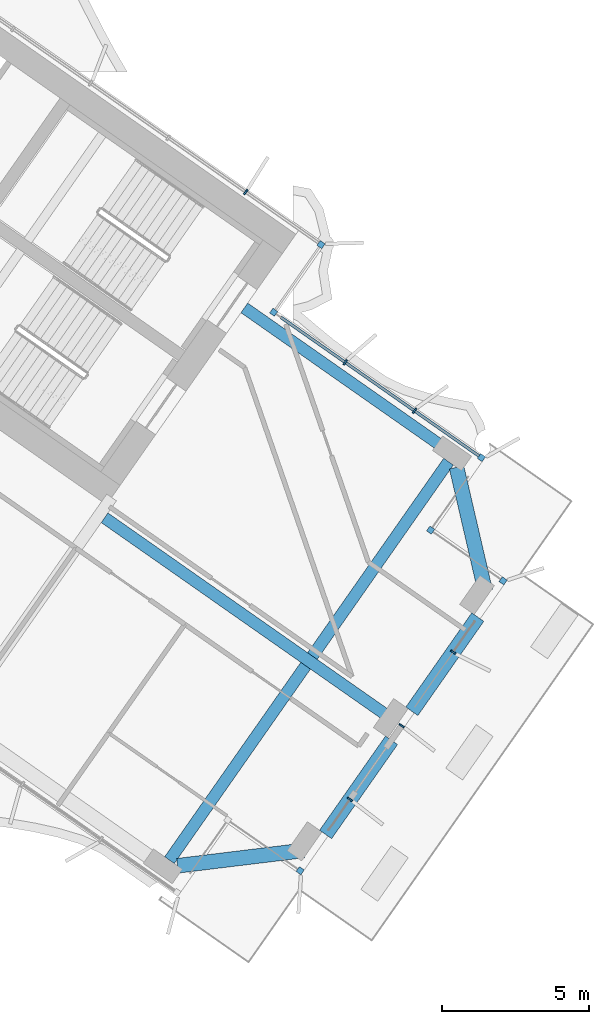
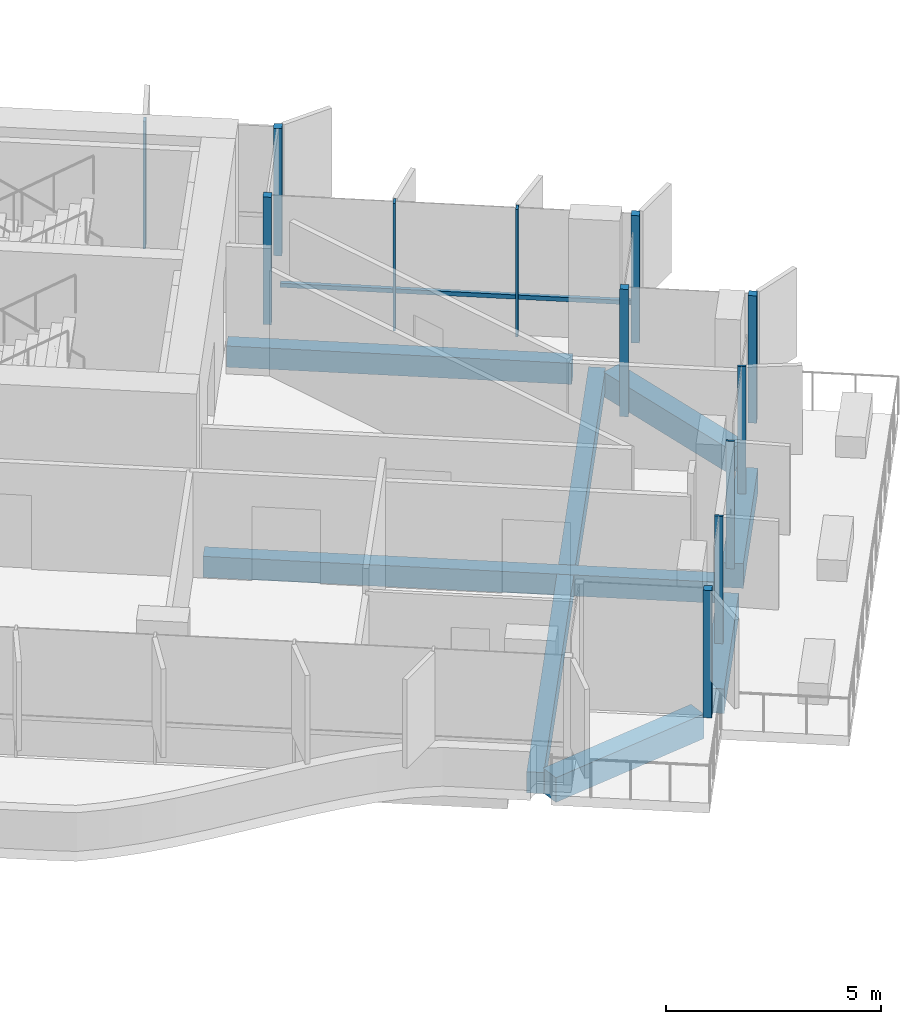
# One storey, part 10 of 23: 13 members, 7 beams, 4 elements without a shape of their own.
"""IFC4 building model written with IfcOpenShell, lengths in metres."""

from ifc_helpers import new_model, si_unit, direction, frame, origin, origin_2d, place, context, subcontext, project, spatial, rectangle, extrude, material, material_profile, profile_set, type_object, element, aggregate, save


model = new_model("IFC4")

# Units and contexts
model_context = context("Model", 3, precision=1e-05, world=origin(), true_north=direction((0.0, 1.0)))
body_context = subcontext(model_context, "Body", "Model", "MODEL_VIEW")
ifc_project = project(units=[si_unit("LENGTHUNIT", "METRE"), si_unit("AREAUNIT", "SQUARE_METRE"), si_unit("VOLUMEUNIT", "CUBIC_METRE"), si_unit("PLANEANGLEUNIT", "RADIAN"), si_unit("MASSUNIT", "GRAM", prefix="KILO")], contexts=[model_context])

# Site, building, storey
site_placement = place(None, origin())
site = spatial("IfcSite", under=ifc_project, at=site_placement, CompositionType="ELEMENT")
building_placement = place(site_placement, origin())
building = spatial("IfcBuilding", under=site, at=building_placement, Name="Tel Ilan Convention Tower", CompositionType="ELEMENT")
storey_placement = place(building_placement, frame((0.0, 0.0, 190.5)))
storey = spatial("IfcBuildingStorey", under=building, at=storey_placement, Name="L44", CompositionType="ELEMENT", Elevation=190.5)

# Beams
ifc_material_1 = material(Name="Concrete C40/50", Category="concrete")
ifc_material_profile_1 = material_profile(ifc_material_1, rectangle(XDim=0.39990234375, YDim=0.60009765625, at=origin_2d()), Name="RC 400x600")
ifc_profile_set_1 = profile_set([ifc_material_profile_1], Name="Concrete C40/50")
beam_type_1 = type_object("IfcBeamType", Name="Beam RC 400x600 Concrete C40/50", PredefinedType="BEAM", material=ifc_profile_set_1)
beam_1_placement = place(storey_placement, frame((32.82421875, -14.25537109375, -0.580078125), z_axis=(-0.819140886463, 0.573592371048, 0.0), x_axis=(-0.573592371048, -0.819140886463, 0.0)))
element("IfcBeam", 1, at=beam_1_placement, inside=storey, type_object=beam_type_1, Name="L44 beam E-E-BC-core", PredefinedType="BEAM", context=body_context, shape_type="SweptSolid", body=[
    extrude(rectangle(XDim=0.39990234375, YDim=0.60009765625, at=origin_2d()), origin(), (0.0, 0.0, 1.0), 8.064453125),
])
beam_2_placement = place(storey_placement, frame((21.477783203125, -16.748046875, -0.580078125), z_axis=(0.819152596417, -0.57357564783, 0.0), x_axis=(0.57357564783, 0.819152596417, 0.0)))
element("IfcBeam", 2, at=beam_2_placement, inside=storey, type_object=beam_type_1, Name="L44 beam E-core-end", PredefinedType="BEAM", context=body_context, shape_type="SweptSolid", body=[
    extrude(rectangle(XDim=0.39990234375, YDim=0.60009765625, at=origin_2d()), origin(), (0.0, 0.0, 1.0), 12.00244140625),
])
beam_3_placement = place(storey_placement, frame((23.6796875, -28.361083984375, -0.580078125), z_axis=(0.573584483202, 0.819146409765, 0.0), x_axis=(-0.819146409765, 0.573584483202, 0.0)))
element("IfcBeam", 3, at=beam_3_placement, inside=storey, type_object=beam_type_1, Name="L44 beam E-E-FC-E-BC", PredefinedType="BEAM", context=body_context, shape_type="SweptSolid", body=[
    extrude(rectangle(XDim=0.39990234375, YDim=0.60009765625, at=origin_2d()), origin(), (0.0, 0.0, 1.0), 16.5),
])
ifc_material_2 = material(Name="Concrete C40/50", Category="concrete")
ifc_material_profile_2 = material_profile(ifc_material_2, rectangle(XDim=0.5, YDim=0.699951171875, at=origin_2d()), Name="RC 500x700")
ifc_profile_set_2 = profile_set([ifc_material_profile_2], Name="Concrete C40/50")
beam_type_2 = type_object("IfcBeamType", Name="Beam RC 500x700 Concrete C40/50", PredefinedType="BEAM", material=ifc_profile_set_2)
beam_4_placement = place(storey_placement, frame((23.953125, -28.552490234375, -0.6298828125), z_axis=(0.992647372226, 0.121042118346, 0.0), x_axis=(-0.121042118346, 0.992647372226, 0.0)))
element("IfcBeam", 4, at=beam_4_placement, inside=storey, type_object=beam_type_2, Name="L44 beam E-E-FC-E-E1", PredefinedType="BEAM", context=body_context, shape_type="SweptSolid", body=[
    extrude(rectangle(XDim=0.5, YDim=0.699951171875, at=origin_2d()), origin(), (0.0, 0.0, 1.0), 4.308349609375),
])
beam_5_placement = place(storey_placement, frame((28.974365234375, -27.490478515625, -0.6298828125), z_axis=(0.573567378001, 0.81915838694, 0.0), x_axis=(-0.81915838694, 0.573567378001, 0.0)))
element("IfcBeam", 5, at=beam_5_placement, inside=storey, type_object=beam_type_2, Name="L44 beam E-E-E1-E-E2", PredefinedType="BEAM", context=body_context, shape_type="SweptSolid", body=[
    extrude(rectangle(XDim=0.5, YDim=0.699951171875, at=origin_2d()), origin(), (0.0, 0.0, 1.0), 3.89990234375),
])
beam_6_placement = place(storey_placement, frame((31.8994140625, -23.31298828125, -0.6298828125), z_axis=(0.573579971149, 0.819149569186, 0.0), x_axis=(-0.819149569186, 0.573579971149, 0.0)))
element("IfcBeam", 6, at=beam_6_placement, inside=storey, type_object=beam_type_2, Name="L44 beam E-E-E2-E-E3", PredefinedType="BEAM", context=body_context, shape_type="SweptSolid", body=[
    extrude(rectangle(XDim=0.5, YDim=0.699951171875, at=origin_2d()), origin(), (0.0, 0.0, 1.0), 3.900146484375),
])
beam_7_placement = place(storey_placement, frame((34.3896484375, -19.233642578125, -0.6298828125), z_axis=(-0.225765780941, 0.974181611485, 0.0), x_axis=(-0.974181611485, -0.225765780941, 0.0)))
element("IfcBeam", 7, at=beam_7_placement, inside=storey, type_object=beam_type_2, Name="L44 beam E-E-E3-E-BC", PredefinedType="BEAM", context=body_context, shape_type="SweptSolid", body=[
    extrude(rectangle(XDim=0.5, YDim=0.699951171875, at=origin_2d()), origin(), (0.0, 0.0, 1.0), 4.308349609375),
])

# Curtain wall, members
ifc_material_3 = material(Name="Aluminium, bronze anodised", Category="aluminium")
curtain_wall_type_1 = type_object("IfcCurtainWallType", Name="CW4 STICK CURTAIN WALL, OFFICE TINTED GLASS", PredefinedType="NOTDEFINED", material=ifc_material_3)
curtain_wall_1_placement = place(storey_placement, origin())
curtain_wall_1 = element("IfcCurtainWall", 8, at=curtain_wall_1_placement, inside=storey, type_object=curtain_wall_type_1, Name="Curtain wall CW4-34.02", PredefinedType="NOTDEFINED")
ifc_material_4 = material(Name="Aluminium, bronze anodised", Category="aluminium")
ifc_material_profile_3 = material_profile(ifc_material_4, rectangle(XDim=0.199951171875, YDim=0.199951171875, at=origin_2d()), Name="CW CORNER MULLION 200x200")
ifc_profile_set_3 = profile_set([ifc_material_profile_3], Name="Aluminium, bronze anodised")
member_type_1 = type_object("IfcMemberType", Name="CW CORNER MULLION 200x200", PredefinedType="MULLION", material=ifc_profile_set_3)
member_1_placement = place(storey_placement, frame((34.994873046875, -18.88818359375, 0.0), z_axis=(0.0, 0.0, 1.0), x_axis=(0.573576436351, 0.819152044289, 0.0)))
member_1 = element("IfcMember", 9, at=member_1_placement, type_object=member_type_1, Name="Corner mullion", PredefinedType="MULLION", context=body_context, shape_type="SweptSolid", body=[
    extrude(rectangle(XDim=0.199951171875, YDim=0.199951171875, at=origin_2d()), origin(), (0.0, 0.0, 1.0), 3.6201171875),
])
member_2_placement = place(storey_placement, frame((32.53759765625, -17.16748046875, 0.0), z_axis=(0.0, 0.0, 1.0), x_axis=(-0.819152044289, 0.573576436351, 0.0)))
member_2 = element("IfcMember", 10, at=member_2_placement, type_object=member_type_1, Name="Corner mullion", PredefinedType="MULLION", context=body_context, shape_type="SweptSolid", body=[
    extrude(rectangle(XDim=0.199951171875, YDim=0.199951171875, at=origin_2d()), origin(), (0.0, 0.0, 1.0), 3.6201171875),
])
member_3_placement = place(storey_placement, frame((34.25830078125, -14.7099609375, 0.0), z_axis=(0.0, 0.0, 1.0), x_axis=(0.573576436351, 0.819152044289, 0.0)))
member_3 = element("IfcMember", 11, at=member_3_placement, type_object=member_type_1, Name="Corner mullion", PredefinedType="MULLION", context=body_context, shape_type="SweptSolid", body=[
    extrude(rectangle(XDim=0.199951171875, YDim=0.199951171875, at=origin_2d()), origin(), (0.0, 0.0, 1.0), 3.6201171875),
])
member_4_placement = place(storey_placement, frame((27.213623046875, -9.77734375, 0.0), z_axis=(0.0, 0.0, 1.0), x_axis=(-0.819152044289, 0.573576436351, 0.0)))
member_4 = element("IfcMember", 12, at=member_4_placement, type_object=member_type_1, Name="Corner mullion", PredefinedType="MULLION", context=body_context, shape_type="SweptSolid", body=[
    extrude(rectangle(XDim=0.199951171875, YDim=0.199951171875, at=origin_2d()), origin(), (0.0, 0.0, 1.0), 3.6201171875),
])

# Curtain wall, member
ifc_material_5 = material(Name="Aluminium, bronze anodised", Category="aluminium")
curtain_wall_type_2 = type_object("IfcCurtainWallType", Name="CW2 STICK CURTAIN WALL, SPANDREL PANELS", PredefinedType="NOTDEFINED", material=ifc_material_5)
curtain_wall_2_placement = place(storey_placement, origin())
curtain_wall_2 = element("IfcCurtainWall", 13, at=curtain_wall_2_placement, inside=storey, type_object=curtain_wall_type_2, Name="Curtain wall CW2-34.03", PredefinedType="NOTDEFINED")
member_5_placement = place(storey_placement, frame((28.819580078125, -7.483642578125, 0.0), z_axis=(0.0, 0.0, 1.0), x_axis=(0.573576436351, 0.819152044289, 0.0)))
member_5 = element("IfcMember", 14, at=member_5_placement, type_object=member_type_1, Name="Corner mullion", PredefinedType="MULLION", context=body_context, shape_type="SweptSolid", body=[
    extrude(rectangle(XDim=0.199951171875, YDim=0.199951171875, at=origin_2d()), origin(), (0.0, 0.0, 1.0), 3.6201171875),
])

curtain_wall_3_placement = place(storey_placement, origin())
curtain_wall_3 = element("IfcCurtainWall", 15, at=curtain_wall_3_placement, inside=storey, type_object=curtain_wall_type_1, Name="Curtain wall CW4-34.04", PredefinedType="NOTDEFINED")
member_6_placement = place(storey_placement, frame((28.112060546875, -28.718017578125, 0.0), z_axis=(0.0, 0.0, 1.0), x_axis=(0.819152044289, -0.573576436351, 0.0)))
member_6 = element("IfcMember", 16, at=member_6_placement, type_object=member_type_1, Name="Corner mullion", PredefinedType="MULLION", context=body_context, shape_type="SweptSolid", body=[
    extrude(rectangle(XDim=0.199951171875, YDim=0.199951171875, at=origin_2d()), origin(), (0.0, 0.0, 1.0), 3.6201171875),
])
aggregate(curtain_wall_3, [member_6])

# Curtain wall, members
curtain_wall_4_placement = place(storey_placement, origin())
curtain_wall_4 = element("IfcCurtainWall", 17, at=curtain_wall_4_placement, inside=storey, type_object=curtain_wall_type_1, Name="Curtain wall CW4-34.01", PredefinedType="NOTDEFINED")
ifc_material_6 = material(Name="Aluminium, bronze anodised", Category="aluminium")
ifc_material_profile_4 = material_profile(ifc_material_6, rectangle(XDim=0.06005859375, YDim=0.199951171875, at=origin_2d()), Name="CW MULLION 60x200")
ifc_profile_set_4 = profile_set([ifc_material_profile_4], Name="Aluminium, bronze anodised")
member_type_2 = type_object("IfcMemberType", Name="CW MULLION 60x200", PredefinedType="MULLION", material=ifc_profile_set_4)
member_7_placement = place(storey_placement, frame((29.80419921875, -26.301513671875, 0.0), z_axis=(0.0, 0.0, 1.0), x_axis=(0.573576436351, 0.819152044289, 0.0)))
member_7 = element("IfcMember", 18, at=member_7_placement, type_object=member_type_2, Name="Mullion", PredefinedType="MULLION", context=body_context, shape_type="SweptSolid", body=[
    extrude(rectangle(XDim=0.06005859375, YDim=0.199951171875, at=origin_2d()), origin(), (0.0, 0.0, 1.0), 3.6201171875),
])
member_8_placement = place(storey_placement, frame((31.553466796875, -23.802978515625, 0.0), z_axis=(0.0, 0.0, 1.0), x_axis=(0.573576436351, 0.819152044289, 0.0)))
member_8 = element("IfcMember", 19, at=member_8_placement, type_object=member_type_2, Name="Mullion", PredefinedType="MULLION", context=body_context, shape_type="SweptSolid", body=[
    extrude(rectangle(XDim=0.06005859375, YDim=0.199951171875, at=origin_2d()), origin(), (0.0, 0.0, 1.0), 3.6201171875),
])
aggregate(curtain_wall_4, [member_7, member_8])

# Member
member_9_placement = place(storey_placement, frame((33.302978515625, -21.3046875, 0.0), z_axis=(0.0, 0.0, 1.0), x_axis=(0.573576436351, 0.819152044289, 0.0)))
member_9 = element("IfcMember", 20, at=member_9_placement, type_object=member_type_2, Name="Mullion", PredefinedType="MULLION", context=body_context, shape_type="SweptSolid", body=[
    extrude(rectangle(XDim=0.06005859375, YDim=0.199951171875, at=origin_2d()), origin(), (0.0, 0.0, 1.0), 3.6201171875),
])

member_10_placement = place(storey_placement, frame((31.991943359375, -13.123046875, 0.0), z_axis=(0.0, 0.0, 1.0), x_axis=(-0.819152044289, 0.573576436351, 0.0)))
member_10 = element("IfcMember", 21, at=member_10_placement, type_object=member_type_2, Name="Mullion", PredefinedType="MULLION", context=body_context, shape_type="SweptSolid", body=[
    extrude(rectangle(XDim=0.06005859375, YDim=0.199951171875, at=origin_2d()), origin(), (0.0, 0.0, 1.0), 3.6201171875),
])

member_11_placement = place(storey_placement, frame((29.6435546875, -11.478759765625, 0.0), z_axis=(0.0, 0.0, 1.0), x_axis=(-0.819152044289, 0.573576436351, 0.0)))
member_11 = element("IfcMember", 22, at=member_11_placement, type_object=member_type_2, Name="Mullion", PredefinedType="MULLION", context=body_context, shape_type="SweptSolid", body=[
    extrude(rectangle(XDim=0.06005859375, YDim=0.199951171875, at=origin_2d()), origin(), (0.0, 0.0, 1.0), 3.6201171875),
])

member_12_placement = place(storey_placement, frame((26.268798828125, -5.697509765625, 0.0), z_axis=(0.0, 0.0, 1.0), x_axis=(-0.819152044289, 0.573576436351, 0.0)))
member_12 = element("IfcMember", 23, at=member_12_placement, type_object=member_type_2, Name="Mullion", PredefinedType="MULLION", context=body_context, shape_type="SweptSolid", body=[
    extrude(rectangle(XDim=0.06005859375, YDim=0.199951171875, at=origin_2d()), origin(), (0.0, 0.0, 1.0), 3.6201171875),
])

aggregate(curtain_wall_2, [member_5, member_12])

ifc_material_7 = material(Name="Aluminium, bronze anodised", Category="aluminium")
ifc_material_profile_5 = material_profile(ifc_material_7, rectangle(XDim=0.10009765625, YDim=0.1201171875, at=origin_2d()), Name="CW TRANSOM 100x120")
ifc_profile_set_5 = profile_set([ifc_material_profile_5], Name="Aluminium, bronze anodised")
member_type_3 = type_object("IfcMemberType", Name="CW TRANSOM 100x120", PredefinedType="USERDEFINED", material=ifc_profile_set_5)
member_13_placement = place(storey_placement, frame((34.17626953125, -14.652587890625, 1.10009765625), z_axis=(-0.819149386388, 0.573580232209, 0.0), x_axis=(-0.573580232209, -0.819149386388, 0.0)))
member_13 = element("IfcMember", 24, at=member_13_placement, type_object=member_type_3, Name="Transom", ObjectType="TRANSOM", PredefinedType="USERDEFINED", context=body_context, shape_type="SweptSolid", body=[
    extrude(rectangle(XDim=0.10009765625, YDim=0.1201171875, at=origin_2d()), origin(), (0.0, 0.0, 1.0), 8.199951171875),
])

aggregate(curtain_wall_1, [member_9, member_1, member_2, member_3, member_10, member_11, member_4, member_13])

save(model, "model.ifc")
